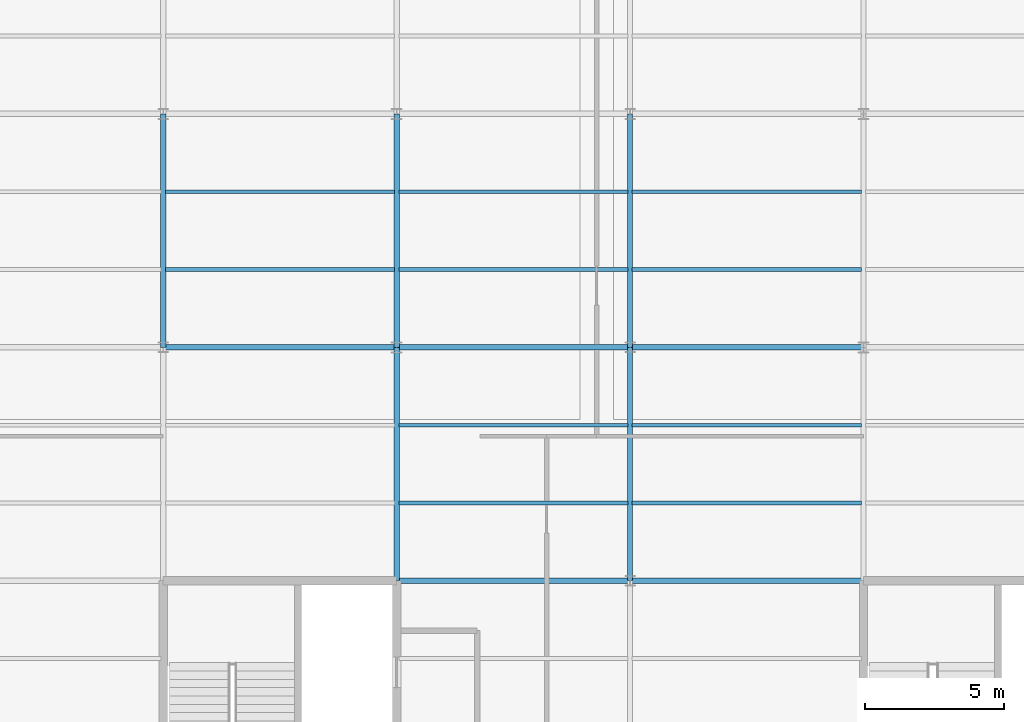
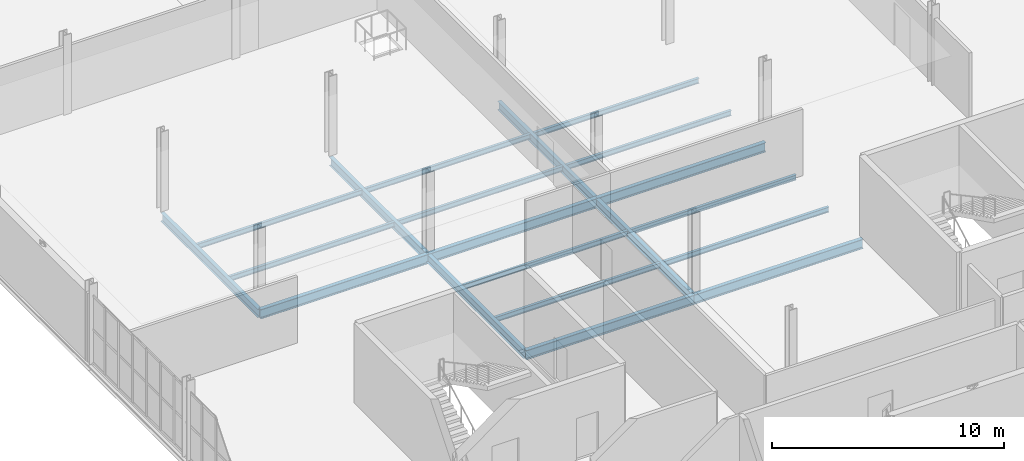
# One storey, part 30 of 184: 20 beams.
"""IFC4 building model written with IfcOpenShell, lengths in metres."""

from ifc_helpers import new_model, si_unit, direction, frame, origin, origin_2d, place, context, subcontext, project, spatial, i_section, extrude, material, material_profile, profile_set, type_object, element, save


model = new_model("IFC4")

# Units and contexts
model_context = context("Model", 3, precision=1e-05, world=origin(), true_north=direction((0.0, 1.0)))
body_context = subcontext(model_context, "Body", "Model", "MODEL_VIEW")
ifc_project = project(units=[si_unit("LENGTHUNIT", "METRE"), si_unit("AREAUNIT", "SQUARE_METRE"), si_unit("VOLUMEUNIT", "CUBIC_METRE"), si_unit("PLANEANGLEUNIT", "RADIAN"), si_unit("MASSUNIT", "GRAM", prefix="KILO")], contexts=[model_context])

# Site, building, storey
site_placement = place(None, origin())
site = spatial("IfcSite", under=ifc_project, at=site_placement, CompositionType="ELEMENT")
building_placement = place(site_placement, origin())
building = spatial("IfcBuilding", under=site, at=building_placement, Name="Qalvenar Corner Mobility Hub", CompositionType="ELEMENT")
storey_placement = place(building_placement, frame((0.0, 0.0, 9.0)))
storey = spatial("IfcBuildingStorey", under=building, at=storey_placement, Name="L02", CompositionType="ELEMENT", Elevation=9.0)

# Beams
ifc_material = material(Name="Steel S355", Category="steel")
ifc_material_profile_1 = material_profile(ifc_material, i_section(OverallWidth=0.18994140625, OverallDepth=0.449951171875, WebThickness=0.009521484375, FlangeThickness=0.0146484375, FilletRadius=0.02099609375, at=origin_2d()), Name="IPE450")
ifc_profile_set_1 = profile_set([ifc_material_profile_1], Name="Steel S355")
beam_type_1 = type_object("IfcBeamType", Name="BM-IPE450", PredefinedType="BEAM", material=ifc_profile_set_1)
beam_1_placement = place(storey_placement, frame((8.39990234375, 25.199951171875, -0.405029296875), z_axis=(0.0, 1.0, 0.0), x_axis=(-1.0, 0.0, 0.0)))
element("IfcBeam", 1, at=beam_1_placement, inside=storey, type_object=beam_type_1, Name="Primary Steel Girder GY-1585", PredefinedType="BEAM", context=body_context, shape_type="SweptSolid", body=[
    extrude(i_section(OverallWidth=0.18994140625, OverallDepth=0.449951171875, WebThickness=0.009521484375, FlangeThickness=0.0146484375, FilletRadius=0.02099609375, at=origin_2d()), origin(), (0.0, 0.0, 1.0), 8.400146484375),
])
beam_2_placement = place(storey_placement, frame((16.800048828125, 16.800048828125, -0.405029296875), z_axis=(0.0, 1.0, 0.0), x_axis=(-1.0, 0.0, 0.0)))
element("IfcBeam", 2, at=beam_2_placement, inside=storey, type_object=beam_type_1, Name="Primary Steel Girder GY-1589", PredefinedType="BEAM", context=body_context, shape_type="SweptSolid", body=[
    extrude(i_section(OverallWidth=0.18994140625, OverallDepth=0.449951171875, WebThickness=0.009521484375, FlangeThickness=0.0146484375, FilletRadius=0.02099609375, at=origin_2d()), origin(), (0.0, 0.0, 1.0), 8.39990234375),
])
beam_3_placement = place(storey_placement, frame((16.800048828125, 25.199951171875, -0.405029296875), z_axis=(0.0, 1.0, 0.0), x_axis=(-1.0, 0.0, 0.0)))
element("IfcBeam", 3, at=beam_3_placement, inside=storey, type_object=beam_type_1, Name="Primary Steel Girder GY-1590", PredefinedType="BEAM", context=body_context, shape_type="SweptSolid", body=[
    extrude(i_section(OverallWidth=0.18994140625, OverallDepth=0.449951171875, WebThickness=0.009521484375, FlangeThickness=0.0146484375, FilletRadius=0.02099609375, at=origin_2d()), origin(), (0.0, 0.0, 1.0), 8.400146484375),
])
beam_4_placement = place(storey_placement, frame((25.199951171875, 16.800048828125, -0.405029296875), z_axis=(0.0, 1.0, 0.0), x_axis=(-1.0, 0.0, 0.0)))
element("IfcBeam", 4, at=beam_4_placement, inside=storey, type_object=beam_type_1, Name="Primary Steel Girder GY-1594", PredefinedType="BEAM", context=body_context, shape_type="SweptSolid", body=[
    extrude(i_section(OverallWidth=0.18994140625, OverallDepth=0.449951171875, WebThickness=0.009521484375, FlangeThickness=0.0146484375, FilletRadius=0.02099609375, at=origin_2d()), origin(), (0.0, 0.0, 1.0), 8.39990234375),
])
beam_5_placement = place(storey_placement, frame((25.199951171875, 25.199951171875, -0.405029296875), z_axis=(0.0, 1.0, 0.0), x_axis=(-1.0, 0.0, 0.0)))
element("IfcBeam", 5, at=beam_5_placement, inside=storey, type_object=beam_type_1, Name="Primary Steel Girder GY-1595", PredefinedType="BEAM", context=body_context, shape_type="SweptSolid", body=[
    extrude(i_section(OverallWidth=0.18994140625, OverallDepth=0.449951171875, WebThickness=0.009521484375, FlangeThickness=0.0146484375, FilletRadius=0.02099609375, at=origin_2d()), origin(), (0.0, 0.0, 1.0), 8.400146484375),
])
ifc_material_profile_2 = material_profile(ifc_material, i_section(OverallWidth=0.199951171875, OverallDepth=0.5, WebThickness=0.01025390625, FlangeThickness=0.01611328125, FilletRadius=0.02099609375, at=origin_2d()), Name="IPE500")
ifc_profile_set_2 = profile_set([ifc_material_profile_2], Name="Steel S355")
beam_type_2 = type_object("IfcBeamType", Name="BM-IPE500", PredefinedType="BEAM", material=ifc_profile_set_2)
beam_6_placement = place(storey_placement, frame((16.800048828125, 16.800048828125, -0.429931640625), z_axis=(1.0, 0.0, 0.0), x_axis=(0.0, 1.0, 0.0)))
element("IfcBeam", 6, at=beam_6_placement, inside=storey, type_object=beam_type_2, Name="Primary Steel Girder GX-1555", PredefinedType="BEAM", context=body_context, shape_type="SweptSolid", body=[
    extrude(i_section(OverallWidth=0.199951171875, OverallDepth=0.5, WebThickness=0.01025390625, FlangeThickness=0.01611328125, FilletRadius=0.02099609375, at=origin_2d()), origin(), (0.0, 0.0, 1.0), 8.39990234375),
])
for number, where, z_axis, x_axis, name in (
    (7, (25.199951171875, 16.800048828125, -0.429931640625), (1.0, 0.0, 0.0), (0.0, 1.0, 0.0), "Primary Steel Girder GX-1556"),
    (8, (8.39990234375, 25.199951171875, -0.429931640625), (1.0, 0.0, 0.0), (0.0, 1.0, 0.0), "Primary Steel Girder GX-1560"),
):
    element("IfcBeam", number, at=place(storey_placement, frame(where, z_axis=z_axis, x_axis=x_axis)), inside=storey, type_object=beam_type_2, Name=name, PredefinedType="BEAM", context=body_context, shape_type="SweptSolid", body=[
        extrude(i_section(OverallWidth=0.199951171875, OverallDepth=0.5, WebThickness=0.01025390625, FlangeThickness=0.01611328125, FilletRadius=0.02099609375, at=origin_2d()), origin(), (0.0, 0.0, 1.0), 8.400146484375),
    ])
beam_7_placement = place(storey_placement, frame((16.800048828125, 25.199951171875, -0.429931640625), z_axis=(1.0, 0.0, 0.0), x_axis=(0.0, 1.0, 0.0)))
element("IfcBeam", 9, at=beam_7_placement, inside=storey, type_object=beam_type_2, Name="Primary Steel Girder GX-1561", PredefinedType="BEAM", context=body_context, shape_type="SweptSolid", body=[
    extrude(i_section(OverallWidth=0.199951171875, OverallDepth=0.5, WebThickness=0.01025390625, FlangeThickness=0.01611328125, FilletRadius=0.02099609375, at=origin_2d()), origin(), (0.0, 0.0, 1.0), 8.39990234375),
])
beam_8_placement = place(storey_placement, frame((25.199951171875, 25.199951171875, -0.429931640625), z_axis=(1.0, 0.0, 0.0), x_axis=(0.0, 1.0, 0.0)))
element("IfcBeam", 10, at=beam_8_placement, inside=storey, type_object=beam_type_2, Name="Primary Steel Girder GX-1562", PredefinedType="BEAM", context=body_context, shape_type="SweptSolid", body=[
    extrude(i_section(OverallWidth=0.199951171875, OverallDepth=0.5, WebThickness=0.01025390625, FlangeThickness=0.01611328125, FilletRadius=0.02099609375, at=origin_2d()), origin(), (0.0, 0.0, 1.0), 8.400146484375),
])
ifc_material_profile_3 = material_profile(ifc_material, i_section(OverallWidth=0.135009765625, OverallDepth=0.27001953125, WebThickness=0.006591796875, FlangeThickness=0.01025390625, FilletRadius=0.014892578125, at=origin_2d()), Name="IPE270")
ifc_profile_set_3 = profile_set([ifc_material_profile_3], Name="Steel S355")
beam_type_3 = type_object("IfcBeamType", Name="BM-JST270", PredefinedType="JOIST", material=ifc_profile_set_3)
for number, where, z_axis, x_axis, name in (
    (11, (8.47802734375, 28.0, -0.31494140625), (1.0, 0.0, 0.0), (0.0, 1.0, 0.0), "Composite Floor Joist J-1627"),
    (12, (8.47802734375, 30.800048828125, -0.31494140625), (1.0, 0.0, 0.0), (0.0, 1.0, 0.0), "Composite Floor Joist J-1628"),
):
    element("IfcBeam", number, at=place(storey_placement, frame(where, z_axis=z_axis, x_axis=x_axis)), inside=storey, type_object=beam_type_3, Name=name, PredefinedType="JOIST", context=body_context, shape_type="SweptSolid", body=[
        extrude(i_section(OverallWidth=0.135009765625, OverallDepth=0.27001953125, WebThickness=0.006591796875, FlangeThickness=0.01025390625, FilletRadius=0.014892578125, at=origin_2d()), origin(), (0.0, 0.0, 1.0), 8.243896484375),
    ])
for number, where, z_axis, x_axis, name in (
    (13, (16.8779296875, 19.60009765625, -0.31494140625), (1.0, 0.0, 0.0), (0.0, 1.0, 0.0), "Composite Floor Joist J-1635"),
    (14, (16.8779296875, 22.39990234375, -0.31494140625), (1.0, 0.0, 0.0), (0.0, 1.0, 0.0), "Composite Floor Joist J-1636"),
    (15, (16.8779296875, 28.0, -0.31494140625), (1.0, 0.0, 0.0), (0.0, 1.0, 0.0), "Composite Floor Joist J-1637"),
    (16, (16.8779296875, 30.800048828125, -0.31494140625), (1.0, 0.0, 0.0), (0.0, 1.0, 0.0), "Composite Floor Joist J-1638"),
):
    element("IfcBeam", number, at=place(storey_placement, frame(where, z_axis=z_axis, x_axis=x_axis)), inside=storey, type_object=beam_type_3, Name=name, PredefinedType="JOIST", context=body_context, shape_type="SweptSolid", body=[
        extrude(i_section(OverallWidth=0.135009765625, OverallDepth=0.27001953125, WebThickness=0.006591796875, FlangeThickness=0.01025390625, FilletRadius=0.014892578125, at=origin_2d()), origin(), (0.0, 0.0, 1.0), 8.244140625),
    ])
for number, where, z_axis, x_axis, name in (
    (17, (25.278076171875, 19.60009765625, -0.31494140625), (1.0, 0.0, 0.0), (0.0, 1.0, 0.0), "Composite Floor Joist J-1645"),
    (18, (25.278076171875, 22.39990234375, -0.31494140625), (1.0, 0.0, 0.0), (0.0, 1.0, 0.0), "Composite Floor Joist J-1646"),
    (19, (25.278076171875, 28.0, -0.31494140625), (1.0, 0.0, 0.0), (0.0, 1.0, 0.0), "Composite Floor Joist J-1647"),
    (20, (25.278076171875, 30.800048828125, -0.31494140625), (1.0, 0.0, 0.0), (0.0, 1.0, 0.0), "Composite Floor Joist J-1648"),
):
    element("IfcBeam", number, at=place(storey_placement, frame(where, z_axis=z_axis, x_axis=x_axis)), inside=storey, type_object=beam_type_3, Name=name, PredefinedType="JOIST", context=body_context, shape_type="SweptSolid", body=[
        extrude(i_section(OverallWidth=0.135009765625, OverallDepth=0.27001953125, WebThickness=0.006591796875, FlangeThickness=0.01025390625, FilletRadius=0.014892578125, at=origin_2d()), origin(), (0.0, 0.0, 1.0), 8.243896484375),
    ])

save(model, "model.ifc")
